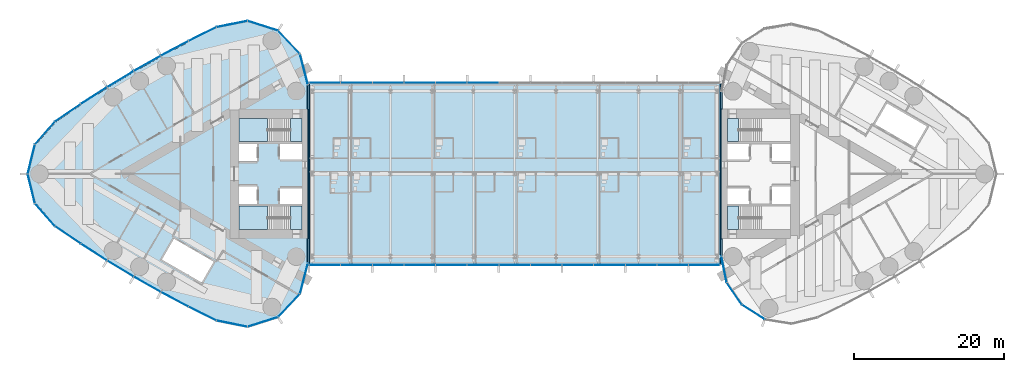
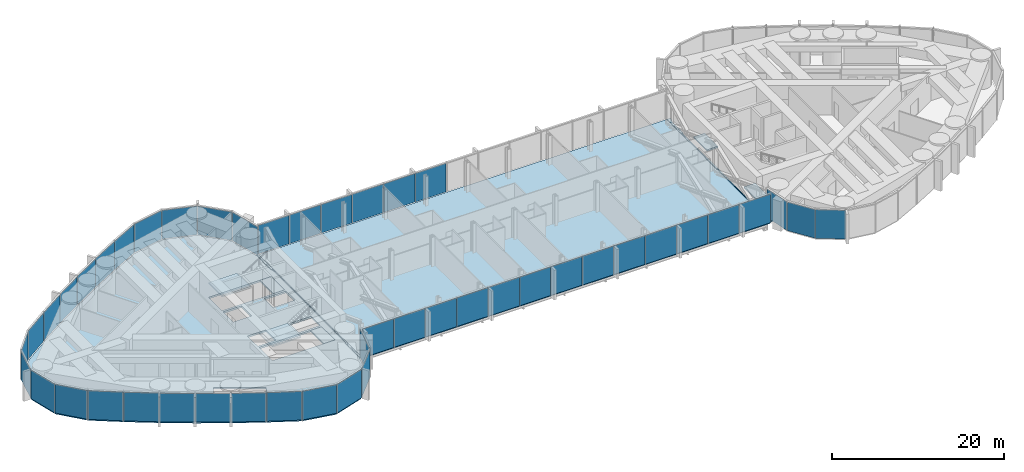
# One storey, part 13 of 23: 48 plates, 8 slabs, 8 elements without a shape of their own.
"""IFC4 building model written with IfcOpenShell, lengths in metres."""

from ifc_helpers import new_model, si_unit, direction, frame, origin, origin_2d, place, context, subcontext, project, spatial, polyline, rectangle, outline, extrude, material, layer, layer_set, type_object, element, aggregate, save


model = new_model("IFC4")

# Units and contexts
model_context = context("Model", 3, precision=1e-05, world=origin(), true_north=direction((0.0, 1.0)))
body_context = subcontext(model_context, "Body", "Model", "MODEL_VIEW")
ifc_project = project(units=[si_unit("LENGTHUNIT", "METRE"), si_unit("AREAUNIT", "SQUARE_METRE"), si_unit("VOLUMEUNIT", "CUBIC_METRE"), si_unit("PLANEANGLEUNIT", "RADIAN"), si_unit("MASSUNIT", "GRAM", prefix="KILO")], contexts=[model_context])

# Site, building, storey
site_placement = place(None, origin())
site = spatial("IfcSite", under=ifc_project, at=site_placement, CompositionType="ELEMENT")
building_placement = place(site_placement, origin())
building = spatial("IfcBuilding", under=site, at=building_placement, Name="Lancet Gate Hotel", CompositionType="ELEMENT")
storey_placement = place(building_placement, frame((0.0, 0.0, 247.699951171875)))
storey = spatial("IfcBuildingStorey", under=building, at=storey_placement, Name="L66", CompositionType="ELEMENT", Elevation=247.699951171875)

# Slabs
ifc_material_1 = material(Name="Concrete C40/50", Category="concrete")
ifc_layer_1 = layer(ifc_material_1, 0.199951171875)
ifc_layer_set_1 = layer_set([ifc_layer_1], Name="Composite floor slab 200")
slab_type_1 = type_object("IfcSlabType", Name="Composite floor slab 200", PredefinedType="FLOOR", material=ifc_layer_set_1)
slab_1_placement = place(storey_placement, frame((0.0, 0.0, -0.199951171875)))
element("IfcSlab", 1, at=slab_1_placement, inside=storey, type_object=slab_type_1, Name="Bridge block L66 floor slab", PredefinedType="FLOOR", context=body_context, shape_type="SweptSolid", body=[
    extrude(outline(polyline([(27.35009765625, -12.0), (27.35009765625, 12.0), (-27.35009765625, 12.0), (-27.35009765625, -12.0), (27.35009765625, -12.0)])), origin(), (0.0, 0.0, 1.0), 0.199951171875),
])
ifc_material_2 = material(Name="Concrete C50/60", Category="concrete")
ifc_layer_2 = layer(ifc_material_2, 0.25)
ifc_layer_set_2 = layer_set([ifc_layer_2], Name="Floor slab 250")
slab_type_2 = type_object("IfcSlabType", Name="Floor slab 250", PredefinedType="FLOOR", material=ifc_layer_set_2)
slab_2_placement = place(storey_placement, frame((0.0, 0.0, -0.25)))
element("IfcSlab", 2, at=slab_2_placement, inside=storey, type_object=slab_type_2, Name="T1 L66 floor slab", PredefinedType="FLOOR", context=body_context, shape_type="SweptSolid", body=[
    extrude(outline(polyline([(-27.5, 8.60009765625), (-27.6201171875, 8.60009765625), (-27.6201171875, 11.84619140625), (-28.668701171875, 15.912353515625), (-31.542236328125, 18.95263671875), (-35.52783203125, 20.22412109375), (-39.645751953125, 19.40673828125), (-43.344482421875, 17.565673828125), (-47.005126953125, 15.618896484375), (-50.61181640625, 13.574462890625), (-54.162353515625, 11.43359375), (-57.654052734375, 9.197998046875), (-61.072998046875, 6.876708984375), (-63.71240234375, 3.871337890625), (-64.66064453125, 0.0), (-63.71240234375, -3.871337890625), (-61.072998046875, -6.876708984375), (-57.654052734375, -9.197998046875), (-54.162353515625, -11.43359375), (-50.61181640625, -13.574462890625), (-47.005126953125, -15.618896484375), (-43.344482421875, -17.565673828125), (-39.645751953125, -19.40673828125), (-35.52783203125, -20.22412109375), (-31.542236328125, -18.95263671875), (-28.668701171875, -15.912353515625), (-27.6201171875, -11.84619140625), (-27.6201171875, -8.60009765625), (-27.5, -8.60009765625), (-27.5, -8.199951171875), (-27.5, 8.199951171875), (-27.5, 8.60009765625)]), holes=[polyline([(-36.699951171875, 7.39990234375), (-36.699951171875, 4.300048828125), (-28.300048828125, 4.300048828125), (-28.300048828125, 7.39990234375), (-36.699951171875, 7.39990234375)]), polyline([(-28.300048828125, 4.0), (-31.199951171875, 4.0), (-31.199951171875, 1.89990234375), (-28.300048828125, 1.89990234375), (-28.300048828125, 4.0)]), polyline([(-34.25, 4.0), (-36.699951171875, 4.0), (-36.699951171875, 1.64990234375), (-34.25, 1.64990234375), (-34.25, 4.0)]), polyline([(-36.699951171875, -1.64990234375), (-36.699951171875, -4.0), (-34.25, -4.0), (-34.25, -1.64990234375), (-36.699951171875, -1.64990234375)]), polyline([(-28.300048828125, -1.89990234375), (-31.199951171875, -1.89990234375), (-31.199951171875, -4.0), (-28.300048828125, -4.0), (-28.300048828125, -1.89990234375)]), polyline([(-28.300048828125, -4.300048828125), (-36.699951171875, -4.300048828125), (-36.699951171875, -7.39990234375), (-28.300048828125, -7.39990234375), (-28.300048828125, -4.300048828125)]), polyline([(-45.319091796875, -8.631103515625), (-46.9189453125, -11.402099609375), (-41.635986328125, -14.451904296875), (-40.035888671875, -11.680908203125), (-45.319091796875, -8.631103515625)])]), origin(), (0.0, 0.0, 1.0), 0.25),
])

# Plates
ifc_material_3 = material(Name="Aluminium chequer plate", Category="aluminium")
ifc_layer_3 = layer(ifc_material_3, 0.014892578125)
ifc_layer_set_3 = layer_set([ifc_layer_3], Name="Movement joint cover plate 15")
plate_type_1 = type_object("IfcPlateType", Name="Movement joint cover plate 15", PredefinedType="SHEET", material=ifc_layer_set_3)
plate_1_placement = place(storey_placement, frame((0.0, 0.0, -0.014892578125)))
element("IfcPlate", 3, at=plate_1_placement, inside=storey, type_object=plate_type_1, Name="Movement joint cover plate T1 L66", PredefinedType="SHEET", context=body_context, shape_type="SweptSolid", body=[
    extrude(outline(polyline([(-27.35009765625, 12.0), (-27.65966796875, 12.0), (-27.6201171875, 11.84619140625), (-27.6201171875, 8.60009765625), (-27.5, 8.60009765625), (-27.5, 8.199951171875), (-27.5, -8.199951171875), (-27.5, -8.60009765625), (-27.6201171875, -8.60009765625), (-27.6201171875, -11.84619140625), (-27.65966796875, -12.0), (-27.35009765625, -12.0), (-27.35009765625, 12.0)])), origin(), (0.0, 0.0, 1.0), 0.014892578125),
])
plate_2_placement = place(storey_placement, frame((0.0, 0.0, -0.014892578125)))
element("IfcPlate", 4, at=plate_2_placement, inside=storey, type_object=plate_type_1, Name="Movement joint cover plate T2 L66", PredefinedType="SHEET", context=body_context, shape_type="SweptSolid", body=[
    extrude(outline(polyline([(27.35009765625, -12.0), (27.836669921875, -12.0), (27.6201171875, -10.93603515625), (27.6201171875, -8.60009765625), (27.5, -8.60009765625), (27.5, -8.199951171875), (27.5, 8.199951171875), (27.5, 8.60009765625), (27.6201171875, 8.60009765625), (27.6201171875, 10.93603515625), (27.836669921875, 12.0), (27.35009765625, 12.0), (27.35009765625, -12.0)])), origin(), (0.0, 0.0, 1.0), 0.014892578125),
])

# Curtain wall, plates
ifc_material_4 = material(Name="Aluminium curtain wall", Category="aluminium")
curtain_wall_type = type_object("IfcCurtainWallType", Name="Sky deck full-height glazing", PredefinedType="USERDEFINED", material=ifc_material_4)
curtain_wall_1_placement = place(storey_placement, origin())
curtain_wall_1 = element("IfcCurtainWall", 5, at=curtain_wall_1_placement, inside=storey, type_object=curtain_wall_type, Name="T1 L66 curtain wall 1", ObjectType="UNITISED CURTAIN WALL", PredefinedType="USERDEFINED")
ifc_material_5 = material(Name="Laminated double glazed unit 10-20-14")
ifc_layer_4 = layer(ifc_material_5, 0.0439453125)
ifc_layer_set_4 = layer_set([ifc_layer_4], Name="Sky deck glass panel")
plate_type_2 = type_object("IfcPlateType", Name="Sky deck glass panel", PredefinedType="CURTAIN_PANEL", material=ifc_layer_set_4)
plate_3_placement = place(storey_placement, frame((-28.030029296875, 13.9169921875, 0.0), z_axis=(0.0, 0.0, 1.0), x_axis=(-0.249725827997, 0.968316586056, 0.0)))
plate_3 = element("IfcPlate", 6, at=plate_3_placement, type_object=plate_type_2, Name="T1 L66 curtain wall 1 panel 1", PredefinedType="CURTAIN_PANEL", context=body_context, shape_type="SweptSolid", body=[
    extrude(rectangle(XDim=4.180419921875, YDim=0.0439453125, at=origin_2d()), origin(), (0.0, 0.0, 1.0), 4.050048828125),
])
plate_4_placement = place(storey_placement, frame((-30.018310546875, 17.514892578125, 0.0), z_axis=(0.0, 0.0, 1.0), x_axis=(-0.686882887577, 0.726768118972, 0.0)))
plate_4 = element("IfcPlate", 7, at=plate_4_placement, type_object=plate_type_2, Name="T1 L66 curtain wall 1 panel 2", PredefinedType="CURTAIN_PANEL", context=body_context, shape_type="SweptSolid", body=[
    extrude(rectangle(XDim=4.180419921875, YDim=0.0439453125, at=origin_2d()), origin(), (0.0, 0.0, 1.0), 4.050048828125),
])
plate_5_placement = place(storey_placement, frame((-33.49853515625, 19.702880859375, 0.0), z_axis=(0.0, 0.0, 1.0), x_axis=(-0.952695666833, 0.303925922549, 0.0)))
plate_5 = element("IfcPlate", 8, at=plate_5_placement, type_object=plate_type_2, Name="T1 L66 curtain wall 1 panel 3", PredefinedType="CURTAIN_PANEL", context=body_context, shape_type="SweptSolid", body=[
    extrude(rectangle(XDim=4.180419921875, YDim=0.0439453125, at=origin_2d()), origin(), (0.0, 0.0, 1.0), 4.050048828125),
])
plate_6_placement = place(storey_placement, frame((-37.602783203125, 19.9345703125, 0.0), z_axis=(0.0, 0.0, 1.0), x_axis=(-0.980856647866, -0.194731189942, 0.0)))
plate_6 = element("IfcPlate", 9, at=plate_6_placement, type_object=plate_type_2, Name="T1 L66 curtain wall 1 panel 4", PredefinedType="CURTAIN_PANEL", context=body_context, shape_type="SweptSolid", body=[
    extrude(rectangle(XDim=4.180419921875, YDim=0.0439453125, at=origin_2d()), origin(), (0.0, 0.0, 1.0), 4.050048828125),
])
plate_7_placement = place(storey_placement, frame((-41.5419921875, 18.5966796875, 0.0), z_axis=(0.0, 0.0, 1.0), x_axis=(-0.895234030262, -0.445596264639, 0.0)))
plate_7 = element("IfcPlate", 10, at=plate_7_placement, type_object=plate_type_2, Name="T1 L66 curtain wall 1 panel 5", PredefinedType="CURTAIN_PANEL", context=body_context, shape_type="SweptSolid", body=[
    extrude(rectangle(XDim=4.084228515625, YDim=0.0439453125, at=origin_2d()), origin(), (0.0, 0.0, 1.0), 4.050048828125),
])
plate_8_placement = place(storey_placement, frame((-45.23095703125, 16.6982421875, 0.0), z_axis=(0.0, 0.0, 1.0), x_axis=(-0.882915941615, -0.469531085277, 0.0)))
plate_8 = element("IfcPlate", 11, at=plate_8_placement, type_object=plate_type_2, Name="T1 L66 curtain wall 1 panel 6", PredefinedType="CURTAIN_PANEL", context=body_context, shape_type="SweptSolid", body=[
    extrude(rectangle(XDim=4.084228515625, YDim=0.0439453125, at=origin_2d()), origin(), (0.0, 0.0, 1.0), 4.050048828125),
])
plate_9_placement = place(storey_placement, frame((-48.86767578125, 14.701171875, 0.0), z_axis=(0.0, 0.0, 1.0), x_axis=(-0.869958082404, -0.493125678565, 0.0)))
plate_9 = element("IfcPlate", 12, at=plate_9_placement, type_object=plate_type_2, Name="T1 L66 curtain wall 1 panel 7", PredefinedType="CURTAIN_PANEL", context=body_context, shape_type="SweptSolid", body=[
    extrude(rectangle(XDim=4.084228515625, YDim=0.0439453125, at=origin_2d()), origin(), (0.0, 0.0, 1.0), 4.050048828125),
])
plate_10_placement = place(storey_placement, frame((-52.44921875, 12.606689453125, 0.0), z_axis=(0.0, 0.0, 1.0), x_axis=(-0.85636984205, -0.516362947574, 0.0)))
plate_10 = element("IfcPlate", 13, at=plate_10_placement, type_object=plate_type_2, Name="T1 L66 curtain wall 1 panel 8", PredefinedType="CURTAIN_PANEL", context=body_context, shape_type="SweptSolid", body=[
    extrude(rectangle(XDim=4.084228515625, YDim=0.0439453125, at=origin_2d()), origin(), (0.0, 0.0, 1.0), 4.050048828125),
])
plate_11_placement = place(storey_placement, frame((-55.972900390625, 10.416748046875, 0.0), z_axis=(0.0, 0.0, 1.0), x_axis=(-0.842161066725, -0.539226054352, 0.0)))
plate_11 = element("IfcPlate", 14, at=plate_11_placement, type_object=plate_type_2, Name="T1 L66 curtain wall 1 panel 9", PredefinedType="CURTAIN_PANEL", context=body_context, shape_type="SweptSolid", body=[
    extrude(rectangle(XDim=4.084228515625, YDim=0.0439453125, at=origin_2d()), origin(), (0.0, 0.0, 1.0), 4.050048828125),
])
plate_12_placement = place(storey_placement, frame((-59.4365234375, 8.1328125, 0.0), z_axis=(0.0, 0.0, 1.0), x_axis=(-0.827342052281, -0.561698432014, 0.0)))
plate_12 = element("IfcPlate", 15, at=plate_12_placement, type_object=plate_type_2, Name="T1 L66 curtain wall 1 panel 10", PredefinedType="CURTAIN_PANEL", context=body_context, shape_type="SweptSolid", body=[
    extrude(rectangle(XDim=4.084228515625, YDim=0.0439453125, at=origin_2d()), origin(), (0.0, 0.0, 1.0), 4.050048828125),
])
plate_13_placement = place(storey_placement, frame((-62.487548828125, 5.447998046875, 0.0), z_axis=(0.0, 0.0, 1.0), x_axis=(-0.659891635916, -0.751360784742, 0.0)))
plate_13 = element("IfcPlate", 16, at=plate_13_placement, type_object=plate_type_2, Name="T1 L66 curtain wall 1 panel 11", PredefinedType="CURTAIN_PANEL", context=body_context, shape_type="SweptSolid", body=[
    extrude(rectangle(XDim=3.979736328125, YDim=0.0439453125, at=origin_2d()), origin(), (0.0, 0.0, 1.0), 4.050048828125),
])
plate_14_placement = place(storey_placement, frame((-64.30322265625, 1.96435546875, 0.0), z_axis=(0.0, 0.0, 1.0), x_axis=(-0.237921018621, -0.971284504612, 0.0)))
plate_14 = element("IfcPlate", 17, at=plate_14_placement, type_object=plate_type_2, Name="T1 L66 curtain wall 1 panel 12", PredefinedType="CURTAIN_PANEL", context=body_context, shape_type="SweptSolid", body=[
    extrude(rectangle(XDim=3.979736328125, YDim=0.0439453125, at=origin_2d()), origin(), (0.0, 0.0, 1.0), 4.050048828125),
])
plate_15_placement = place(storey_placement, frame((-64.30322265625, -1.96435546875, 0.0), z_axis=(0.0, 0.0, 1.0), x_axis=(0.237921018621, -0.971284504612, 0.0)))
plate_15 = element("IfcPlate", 18, at=plate_15_placement, type_object=plate_type_2, Name="T1 L66 curtain wall 1 panel 13", PredefinedType="CURTAIN_PANEL", context=body_context, shape_type="SweptSolid", body=[
    extrude(rectangle(XDim=3.979736328125, YDim=0.0439453125, at=origin_2d()), origin(), (0.0, 0.0, 1.0), 4.050048828125),
])
plate_16_placement = place(storey_placement, frame((-62.487548828125, -5.447998046875, 0.0), z_axis=(0.0, 0.0, 1.0), x_axis=(0.659891635916, -0.751360784742, 0.0)))
plate_16 = element("IfcPlate", 19, at=plate_16_placement, type_object=plate_type_2, Name="T1 L66 curtain wall 1 panel 14", PredefinedType="CURTAIN_PANEL", context=body_context, shape_type="SweptSolid", body=[
    extrude(rectangle(XDim=3.979736328125, YDim=0.0439453125, at=origin_2d()), origin(), (0.0, 0.0, 1.0), 4.050048828125),
])
plate_17_placement = place(storey_placement, frame((-59.4365234375, -8.1328125, 0.0), z_axis=(0.0, 0.0, 1.0), x_axis=(0.827342052281, -0.561698432014, 0.0)))
plate_17 = element("IfcPlate", 20, at=plate_17_placement, type_object=plate_type_2, Name="T1 L66 curtain wall 1 panel 15", PredefinedType="CURTAIN_PANEL", context=body_context, shape_type="SweptSolid", body=[
    extrude(rectangle(XDim=4.084228515625, YDim=0.0439453125, at=origin_2d()), origin(), (0.0, 0.0, 1.0), 4.050048828125),
])
plate_18_placement = place(storey_placement, frame((-55.972900390625, -10.416748046875, 0.0), z_axis=(0.0, 0.0, 1.0), x_axis=(0.842161066725, -0.539226054352, 0.0)))
plate_18 = element("IfcPlate", 21, at=plate_18_placement, type_object=plate_type_2, Name="T1 L66 curtain wall 1 panel 16", PredefinedType="CURTAIN_PANEL", context=body_context, shape_type="SweptSolid", body=[
    extrude(rectangle(XDim=4.084228515625, YDim=0.0439453125, at=origin_2d()), origin(), (0.0, 0.0, 1.0), 4.050048828125),
])
plate_19_placement = place(storey_placement, frame((-52.44921875, -12.606689453125, 0.0), z_axis=(0.0, 0.0, 1.0), x_axis=(0.85636984205, -0.516362947574, 0.0)))
plate_19 = element("IfcPlate", 22, at=plate_19_placement, type_object=plate_type_2, Name="T1 L66 curtain wall 1 panel 17", PredefinedType="CURTAIN_PANEL", context=body_context, shape_type="SweptSolid", body=[
    extrude(rectangle(XDim=4.084228515625, YDim=0.0439453125, at=origin_2d()), origin(), (0.0, 0.0, 1.0), 4.050048828125),
])
plate_20_placement = place(storey_placement, frame((-48.86767578125, -14.701171875, 0.0), z_axis=(0.0, 0.0, 1.0), x_axis=(0.869958082404, -0.493125678565, 0.0)))
plate_20 = element("IfcPlate", 23, at=plate_20_placement, type_object=plate_type_2, Name="T1 L66 curtain wall 1 panel 18", PredefinedType="CURTAIN_PANEL", context=body_context, shape_type="SweptSolid", body=[
    extrude(rectangle(XDim=4.084228515625, YDim=0.0439453125, at=origin_2d()), origin(), (0.0, 0.0, 1.0), 4.050048828125),
])
plate_21_placement = place(storey_placement, frame((-45.23095703125, -16.6982421875, 0.0), z_axis=(0.0, 0.0, 1.0), x_axis=(0.882915941615, -0.469531085277, 0.0)))
plate_21 = element("IfcPlate", 24, at=plate_21_placement, type_object=plate_type_2, Name="T1 L66 curtain wall 1 panel 19", PredefinedType="CURTAIN_PANEL", context=body_context, shape_type="SweptSolid", body=[
    extrude(rectangle(XDim=4.084228515625, YDim=0.0439453125, at=origin_2d()), origin(), (0.0, 0.0, 1.0), 4.050048828125),
])
plate_22_placement = place(storey_placement, frame((-41.5419921875, -18.5966796875, 0.0), z_axis=(0.0, 0.0, 1.0), x_axis=(0.895234030262, -0.445596264639, 0.0)))
plate_22 = element("IfcPlate", 25, at=plate_22_placement, type_object=plate_type_2, Name="T1 L66 curtain wall 1 panel 20", PredefinedType="CURTAIN_PANEL", context=body_context, shape_type="SweptSolid", body=[
    extrude(rectangle(XDim=4.084228515625, YDim=0.0439453125, at=origin_2d()), origin(), (0.0, 0.0, 1.0), 4.050048828125),
])
plate_23_placement = place(storey_placement, frame((-37.602783203125, -19.9345703125, 0.0), z_axis=(0.0, 0.0, 1.0), x_axis=(0.980856647866, -0.194731189942, 0.0)))
plate_23 = element("IfcPlate", 26, at=plate_23_placement, type_object=plate_type_2, Name="T1 L66 curtain wall 1 panel 21", PredefinedType="CURTAIN_PANEL", context=body_context, shape_type="SweptSolid", body=[
    extrude(rectangle(XDim=4.180419921875, YDim=0.0439453125, at=origin_2d()), origin(), (0.0, 0.0, 1.0), 4.050048828125),
])
plate_24_placement = place(storey_placement, frame((-33.49853515625, -19.702880859375, 0.0), z_axis=(0.0, 0.0, 1.0), x_axis=(0.952695666833, 0.303925922549, 0.0)))
plate_24 = element("IfcPlate", 27, at=plate_24_placement, type_object=plate_type_2, Name="T1 L66 curtain wall 1 panel 22", PredefinedType="CURTAIN_PANEL", context=body_context, shape_type="SweptSolid", body=[
    extrude(rectangle(XDim=4.180419921875, YDim=0.0439453125, at=origin_2d()), origin(), (0.0, 0.0, 1.0), 4.050048828125),
])
plate_25_placement = place(storey_placement, frame((-30.018310546875, -17.514892578125, 0.0), z_axis=(0.0, 0.0, 1.0), x_axis=(0.686882887577, 0.726768118972, 0.0)))
plate_25 = element("IfcPlate", 28, at=plate_25_placement, type_object=plate_type_2, Name="T1 L66 curtain wall 1 panel 23", PredefinedType="CURTAIN_PANEL", context=body_context, shape_type="SweptSolid", body=[
    extrude(rectangle(XDim=4.180419921875, YDim=0.0439453125, at=origin_2d()), origin(), (0.0, 0.0, 1.0), 4.050048828125),
])
plate_26_placement = place(storey_placement, frame((-28.030029296875, -13.9169921875, 0.0), z_axis=(0.0, 0.0, 1.0), x_axis=(0.249725827997, 0.968316586056, 0.0)))
plate_26 = element("IfcPlate", 29, at=plate_26_placement, type_object=plate_type_2, Name="T1 L66 curtain wall 1 panel 24", PredefinedType="CURTAIN_PANEL", context=body_context, shape_type="SweptSolid", body=[
    extrude(rectangle(XDim=4.180419921875, YDim=0.0439453125, at=origin_2d()), origin(), (0.0, 0.0, 1.0), 4.050048828125),
])
aggregate(curtain_wall_1, [plate_3, plate_4, plate_5, plate_6, plate_7, plate_8, plate_9, plate_10, plate_11, plate_12, plate_13, plate_14, plate_15, plate_16, plate_17, plate_18, plate_19, plate_20, plate_21, plate_22, plate_23, plate_24, plate_25, plate_26])

curtain_wall_2_placement = place(storey_placement, origin())
curtain_wall_2 = element("IfcCurtainWall", 30, at=curtain_wall_2_placement, inside=storey, type_object=curtain_wall_type, Name="T2 L66 curtain wall 1", ObjectType="UNITISED CURTAIN WALL", PredefinedType="USERDEFINED")
plate_27_placement = place(storey_placement, frame((27.8583984375, -12.707763671875, 0.0), z_axis=(0.0, 0.0, 1.0), x_axis=(0.199533486841, -0.979891008036, 0.0)))
plate_27 = element("IfcPlate", 31, at=plate_27_placement, type_object=plate_type_2, Name="T2 L66 curtain wall 1 panel 1", PredefinedType="CURTAIN_PANEL", context=body_context, shape_type="SweptSolid", body=[
    extrude(rectangle(XDim=3.526611328125, YDim=0.0439453125, at=origin_2d()), origin(), (0.0, 0.0, 1.0), 4.050048828125),
])
plate_28_placement = place(storey_placement, frame((29.234619140625, -15.947021484375, 0.0), z_axis=(0.0, 0.0, 1.0), x_axis=(0.566823864908, -0.823839005007, 0.0)))
plate_28 = element("IfcPlate", 32, at=plate_28_placement, type_object=plate_type_2, Name="T2 L66 curtain wall 1 panel 2", PredefinedType="CURTAIN_PANEL", context=body_context, shape_type="SweptSolid", body=[
    extrude(rectangle(XDim=3.526611328125, YDim=0.0439453125, at=origin_2d()), origin(), (0.0, 0.0, 1.0), 4.050048828125),
])
plate_29_placement = place(storey_placement, frame((31.767822265625, -18.389892578125, 0.0), z_axis=(0.0, 0.0, 1.0), x_axis=(0.843845020422, -0.536586974785, 0.0)))
plate_29 = element("IfcPlate", 33, at=plate_29_placement, type_object=plate_type_2, Name="T2 L66 curtain wall 1 panel 3", PredefinedType="CURTAIN_PANEL", context=body_context, shape_type="SweptSolid", body=[
    extrude(rectangle(XDim=3.526611328125, YDim=0.0439453125, at=origin_2d()), origin(), (0.0, 0.0, 1.0), 4.050048828125),
])
aggregate(curtain_wall_2, [plate_27, plate_28, plate_29])

curtain_wall_3_placement = place(storey_placement, origin())
curtain_wall_3 = element("IfcCurtainWall", 34, at=curtain_wall_3_placement, inside=storey, type_object=curtain_wall_type, Name="Bridge block L66 curtain wall S", ObjectType="UNITISED CURTAIN WALL", PredefinedType="USERDEFINED")
plate_30_placement = place(storey_placement, frame((-25.24609375, -12.1201171875, 0.0), z_axis=(0.0, 0.0, 1.0), x_axis=(1.0, 0.0, 0.0)))
plate_30 = element("IfcPlate", 35, at=plate_30_placement, type_object=plate_type_2, Name="Bridge block L66 curtain wall S panel 1", PredefinedType="CURTAIN_PANEL", context=body_context, shape_type="SweptSolid", body=[
    extrude(rectangle(XDim=4.142578125, YDim=0.0439453125, at=origin_2d()), origin(), (0.0, 0.0, 1.0), 4.050048828125),
])
plate_31_placement = place(storey_placement, frame((-21.03857421875, -12.1201171875, 0.0), z_axis=(0.0, 0.0, 1.0), x_axis=(1.0, 0.0, 0.0)))
plate_31 = element("IfcPlate", 36, at=plate_31_placement, type_object=plate_type_2, Name="Bridge block L66 curtain wall S panel 2", PredefinedType="CURTAIN_PANEL", context=body_context, shape_type="SweptSolid", body=[
    extrude(rectangle(XDim=4.142578125, YDim=0.0439453125, at=origin_2d()), origin(), (0.0, 0.0, 1.0), 4.050048828125),
])
plate_32_placement = place(storey_placement, frame((-16.830810546875, -12.1201171875, 0.0), z_axis=(0.0, 0.0, 1.0), x_axis=(1.0, 0.0, 0.0)))
plate_32 = element("IfcPlate", 37, at=plate_32_placement, type_object=plate_type_2, Name="Bridge block L66 curtain wall S panel 3", PredefinedType="CURTAIN_PANEL", context=body_context, shape_type="SweptSolid", body=[
    extrude(rectangle(XDim=4.142578125, YDim=0.0439453125, at=origin_2d()), origin(), (0.0, 0.0, 1.0), 4.050048828125),
])
plate_33_placement = place(storey_placement, frame((-12.623046875, -12.1201171875, 0.0), z_axis=(0.0, 0.0, 1.0), x_axis=(1.0, 0.0, 0.0)))
plate_33 = element("IfcPlate", 38, at=plate_33_placement, type_object=plate_type_2, Name="Bridge block L66 curtain wall S panel 4", PredefinedType="CURTAIN_PANEL", context=body_context, shape_type="SweptSolid", body=[
    extrude(rectangle(XDim=4.142578125, YDim=0.0439453125, at=origin_2d()), origin(), (0.0, 0.0, 1.0), 4.050048828125),
])
plate_34_placement = place(storey_placement, frame((-8.415283203125, -12.1201171875, 0.0), z_axis=(0.0, 0.0, 1.0), x_axis=(1.0, 0.0, 0.0)))
plate_34 = element("IfcPlate", 39, at=plate_34_placement, type_object=plate_type_2, Name="Bridge block L66 curtain wall S panel 5", PredefinedType="CURTAIN_PANEL", context=body_context, shape_type="SweptSolid", body=[
    extrude(rectangle(XDim=4.142578125, YDim=0.0439453125, at=origin_2d()), origin(), (0.0, 0.0, 1.0), 4.050048828125),
])
plate_35_placement = place(storey_placement, frame((-4.207763671875, -12.1201171875, 0.0), z_axis=(0.0, 0.0, 1.0), x_axis=(1.0, 0.0, 0.0)))
plate_35 = element("IfcPlate", 40, at=plate_35_placement, type_object=plate_type_2, Name="Bridge block L66 curtain wall S panel 6", PredefinedType="CURTAIN_PANEL", context=body_context, shape_type="SweptSolid", body=[
    extrude(rectangle(XDim=4.142578125, YDim=0.0439453125, at=origin_2d()), origin(), (0.0, 0.0, 1.0), 4.050048828125),
])
plate_36_placement = place(storey_placement, frame((0.0, -12.1201171875, 0.0), z_axis=(0.0, 0.0, 1.0), x_axis=(1.0, 0.0, 0.0)))
plate_36 = element("IfcPlate", 41, at=plate_36_placement, type_object=plate_type_2, Name="Bridge block L66 curtain wall S panel 7", PredefinedType="CURTAIN_PANEL", context=body_context, shape_type="SweptSolid", body=[
    extrude(rectangle(XDim=4.142578125, YDim=0.0439453125, at=origin_2d()), origin(), (0.0, 0.0, 1.0), 4.050048828125),
])
plate_37_placement = place(storey_placement, frame((4.207763671875, -12.1201171875, 0.0), z_axis=(0.0, 0.0, 1.0), x_axis=(1.0, 0.0, 0.0)))
plate_37 = element("IfcPlate", 42, at=plate_37_placement, type_object=plate_type_2, Name="Bridge block L66 curtain wall S panel 8", PredefinedType="CURTAIN_PANEL", context=body_context, shape_type="SweptSolid", body=[
    extrude(rectangle(XDim=4.142578125, YDim=0.0439453125, at=origin_2d()), origin(), (0.0, 0.0, 1.0), 4.050048828125),
])
plate_38_placement = place(storey_placement, frame((8.415283203125, -12.1201171875, 0.0), z_axis=(0.0, 0.0, 1.0), x_axis=(1.0, 0.0, 0.0)))
plate_38 = element("IfcPlate", 43, at=plate_38_placement, type_object=plate_type_2, Name="Bridge block L66 curtain wall S panel 9", PredefinedType="CURTAIN_PANEL", context=body_context, shape_type="SweptSolid", body=[
    extrude(rectangle(XDim=4.142578125, YDim=0.0439453125, at=origin_2d()), origin(), (0.0, 0.0, 1.0), 4.050048828125),
])
plate_39_placement = place(storey_placement, frame((12.623046875, -12.1201171875, 0.0), z_axis=(0.0, 0.0, 1.0), x_axis=(1.0, 0.0, 0.0)))
plate_39 = element("IfcPlate", 44, at=plate_39_placement, type_object=plate_type_2, Name="Bridge block L66 curtain wall S panel 10", PredefinedType="CURTAIN_PANEL", context=body_context, shape_type="SweptSolid", body=[
    extrude(rectangle(XDim=4.142578125, YDim=0.0439453125, at=origin_2d()), origin(), (0.0, 0.0, 1.0), 4.050048828125),
])
plate_40_placement = place(storey_placement, frame((16.830810546875, -12.1201171875, 0.0), z_axis=(0.0, 0.0, 1.0), x_axis=(1.0, 0.0, 0.0)))
plate_40 = element("IfcPlate", 45, at=plate_40_placement, type_object=plate_type_2, Name="Bridge block L66 curtain wall S panel 11", PredefinedType="CURTAIN_PANEL", context=body_context, shape_type="SweptSolid", body=[
    extrude(rectangle(XDim=4.142578125, YDim=0.0439453125, at=origin_2d()), origin(), (0.0, 0.0, 1.0), 4.050048828125),
])
plate_41_placement = place(storey_placement, frame((21.03857421875, -12.1201171875, 0.0), z_axis=(0.0, 0.0, 1.0), x_axis=(1.0, 0.0, 0.0)))
plate_41 = element("IfcPlate", 46, at=plate_41_placement, type_object=plate_type_2, Name="Bridge block L66 curtain wall S panel 12", PredefinedType="CURTAIN_PANEL", context=body_context, shape_type="SweptSolid", body=[
    extrude(rectangle(XDim=4.142578125, YDim=0.0439453125, at=origin_2d()), origin(), (0.0, 0.0, 1.0), 4.050048828125),
])
plate_42_placement = place(storey_placement, frame((25.24609375, -12.1201171875, 0.0), z_axis=(0.0, 0.0, 1.0), x_axis=(1.0, 0.0, 0.0)))
plate_42 = element("IfcPlate", 47, at=plate_42_placement, type_object=plate_type_2, Name="Bridge block L66 curtain wall S panel 13", PredefinedType="CURTAIN_PANEL", context=body_context, shape_type="SweptSolid", body=[
    extrude(rectangle(XDim=4.142578125, YDim=0.0439453125, at=origin_2d()), origin(), (0.0, 0.0, 1.0), 4.050048828125),
])
aggregate(curtain_wall_3, [plate_30, plate_31, plate_32, plate_33, plate_34, plate_35, plate_36, plate_37, plate_38, plate_39, plate_40, plate_41, plate_42])

curtain_wall_4_placement = place(storey_placement, origin())
curtain_wall_4 = element("IfcCurtainWall", 48, at=curtain_wall_4_placement, inside=storey, type_object=curtain_wall_type, Name="Bridge block L66 curtain wall N", ObjectType="UNITISED CURTAIN WALL", PredefinedType="USERDEFINED")
plate_43_placement = place(storey_placement, frame((-4.207763671875, 12.1201171875, 0.0), z_axis=(0.0, 0.0, 1.0), x_axis=(-1.0, 0.0, 0.0)))
plate_43 = element("IfcPlate", 49, at=plate_43_placement, type_object=plate_type_2, Name="Bridge block L66 curtain wall N panel 8", PredefinedType="CURTAIN_PANEL", context=body_context, shape_type="SweptSolid", body=[
    extrude(rectangle(XDim=4.142578125, YDim=0.0439453125, at=origin_2d()), origin(), (0.0, 0.0, 1.0), 4.050048828125),
])
plate_44_placement = place(storey_placement, frame((-8.415283203125, 12.1201171875, 0.0), z_axis=(0.0, 0.0, 1.0), x_axis=(-1.0, 0.0, 0.0)))
plate_44 = element("IfcPlate", 50, at=plate_44_placement, type_object=plate_type_2, Name="Bridge block L66 curtain wall N panel 9", PredefinedType="CURTAIN_PANEL", context=body_context, shape_type="SweptSolid", body=[
    extrude(rectangle(XDim=4.142578125, YDim=0.0439453125, at=origin_2d()), origin(), (0.0, 0.0, 1.0), 4.050048828125),
])
plate_45_placement = place(storey_placement, frame((-12.623046875, 12.1201171875, 0.0), z_axis=(0.0, 0.0, 1.0), x_axis=(-1.0, 0.0, 0.0)))
plate_45 = element("IfcPlate", 51, at=plate_45_placement, type_object=plate_type_2, Name="Bridge block L66 curtain wall N panel 10", PredefinedType="CURTAIN_PANEL", context=body_context, shape_type="SweptSolid", body=[
    extrude(rectangle(XDim=4.142578125, YDim=0.0439453125, at=origin_2d()), origin(), (0.0, 0.0, 1.0), 4.050048828125),
])
plate_46_placement = place(storey_placement, frame((-16.830810546875, 12.1201171875, 0.0), z_axis=(0.0, 0.0, 1.0), x_axis=(-1.0, 0.0, 0.0)))
plate_46 = element("IfcPlate", 52, at=plate_46_placement, type_object=plate_type_2, Name="Bridge block L66 curtain wall N panel 11", PredefinedType="CURTAIN_PANEL", context=body_context, shape_type="SweptSolid", body=[
    extrude(rectangle(XDim=4.142578125, YDim=0.0439453125, at=origin_2d()), origin(), (0.0, 0.0, 1.0), 4.050048828125),
])
plate_47_placement = place(storey_placement, frame((-21.03857421875, 12.1201171875, 0.0), z_axis=(0.0, 0.0, 1.0), x_axis=(-1.0, 0.0, 0.0)))
plate_47 = element("IfcPlate", 53, at=plate_47_placement, type_object=plate_type_2, Name="Bridge block L66 curtain wall N panel 12", PredefinedType="CURTAIN_PANEL", context=body_context, shape_type="SweptSolid", body=[
    extrude(rectangle(XDim=4.142578125, YDim=0.0439453125, at=origin_2d()), origin(), (0.0, 0.0, 1.0), 4.050048828125),
])
plate_48_placement = place(storey_placement, frame((-25.24609375, 12.1201171875, 0.0), z_axis=(0.0, 0.0, 1.0), x_axis=(-1.0, 0.0, 0.0)))
plate_48 = element("IfcPlate", 54, at=plate_48_placement, type_object=plate_type_2, Name="Bridge block L66 curtain wall N panel 13", PredefinedType="CURTAIN_PANEL", context=body_context, shape_type="SweptSolid", body=[
    extrude(rectangle(XDim=4.142578125, YDim=0.0439453125, at=origin_2d()), origin(), (0.0, 0.0, 1.0), 4.050048828125),
])
aggregate(curtain_wall_4, [plate_43, plate_44, plate_45, plate_46, plate_47, plate_48])

# Stair, slabs
ifc_material_6 = material(Name="Exit stair 24 risers 1500")
stair_type = type_object("IfcStairType", Name="Exit stair 24 risers 1500", PredefinedType="HALF_TURN_STAIR", material=ifc_material_6)
stair_1_placement = place(storey_placement, origin())
stair_1 = element("IfcStair", 55, at=stair_1_placement, inside=storey, type_object=stair_type, Name="T1 stair 1 L66", PredefinedType="HALF_TURN_STAIR")
ifc_material_7 = material(Name="Concrete C40/50", Category="concrete")
ifc_layer_5 = layer(ifc_material_7, 0.199951171875)
ifc_layer_set_5 = layer_set([ifc_layer_5], Name="Stair landing 200")
slab_type_3 = type_object("IfcSlabType", Name="Stair landing 200", PredefinedType="LANDING", material=ifc_layer_set_5)
slab_3_placement = place(storey_placement, frame((0.0, 0.0, -0.199951171875)))
slab_3 = element("IfcSlab", 56, at=slab_3_placement, type_object=slab_type_3, Name="ST1 landing 1", PredefinedType="LANDING", context=body_context, shape_type="SweptSolid", body=[
    extrude(outline(polyline([(-28.300048828125, 7.39990234375), (-29.800048828125, 7.39990234375), (-29.800048828125, 4.300048828125), (-28.300048828125, 4.300048828125), (-28.300048828125, 7.39990234375)])), origin(), (0.0, 0.0, 1.0), 0.199951171875),
])
slab_4_placement = place(storey_placement, frame((0.0, 0.0, 1.900146484375)))
slab_4 = element("IfcSlab", 57, at=slab_4_placement, type_object=slab_type_3, Name="ST1 landing 2", PredefinedType="LANDING", context=body_context, shape_type="SweptSolid", body=[
    extrude(outline(polyline([(-32.8798828125, 7.39990234375), (-36.699951171875, 7.39990234375), (-36.699951171875, 4.300048828125), (-32.8798828125, 4.300048828125), (-32.8798828125, 7.39990234375)])), origin(), (0.0, 0.0, 1.0), 0.199951171875),
])
aggregate(stair_1, [slab_3, slab_4])

stair_2_placement = place(storey_placement, origin())
stair_2 = element("IfcStair", 58, at=stair_2_placement, inside=storey, type_object=stair_type, Name="T1 stair 2 L66", PredefinedType="HALF_TURN_STAIR")
slab_5_placement = place(storey_placement, frame((0.0, 0.0, -0.199951171875)))
slab_5 = element("IfcSlab", 59, at=slab_5_placement, type_object=slab_type_3, Name="ST2 landing 1", PredefinedType="LANDING", context=body_context, shape_type="SweptSolid", body=[
    extrude(outline(polyline([(-28.300048828125, -4.300048828125), (-29.800048828125, -4.300048828125), (-29.800048828125, -7.39990234375), (-28.300048828125, -7.39990234375), (-28.300048828125, -4.300048828125)])), origin(), (0.0, 0.0, 1.0), 0.199951171875),
])
slab_6_placement = place(storey_placement, frame((0.0, 0.0, 1.900146484375)))
slab_6 = element("IfcSlab", 60, at=slab_6_placement, type_object=slab_type_3, Name="ST2 landing 2", PredefinedType="LANDING", context=body_context, shape_type="SweptSolid", body=[
    extrude(outline(polyline([(-32.8798828125, -4.300048828125), (-36.699951171875, -4.300048828125), (-36.699951171875, -7.39990234375), (-32.8798828125, -7.39990234375), (-32.8798828125, -4.300048828125)])), origin(), (0.0, 0.0, 1.0), 0.199951171875),
])
aggregate(stair_2, [slab_5, slab_6])

# Stair, slab
stair_3_placement = place(storey_placement, origin())
stair_3 = element("IfcStair", 61, at=stair_3_placement, inside=storey, type_object=stair_type, Name="T2 stair 1 L66", PredefinedType="HALF_TURN_STAIR")
slab_7_placement = place(storey_placement, frame((0.0, 0.0, -0.199951171875)))
slab_7 = element("IfcSlab", 62, at=slab_7_placement, type_object=slab_type_3, Name="ST3 landing 1", PredefinedType="LANDING", context=body_context, shape_type="SweptSolid", body=[
    extrude(outline(polyline([(28.300048828125, -7.39990234375), (29.800048828125, -7.39990234375), (29.800048828125, -4.300048828125), (28.300048828125, -4.300048828125), (28.300048828125, -7.39990234375)])), origin(), (0.0, 0.0, 1.0), 0.199951171875),
])
aggregate(stair_3, [slab_7])

stair_4_placement = place(storey_placement, origin())
stair_4 = element("IfcStair", 63, at=stair_4_placement, inside=storey, type_object=stair_type, Name="T2 stair 2 L66", PredefinedType="HALF_TURN_STAIR")
slab_8_placement = place(storey_placement, frame((0.0, 0.0, -0.199951171875)))
slab_8 = element("IfcSlab", 64, at=slab_8_placement, type_object=slab_type_3, Name="ST4 landing 1", PredefinedType="LANDING", context=body_context, shape_type="SweptSolid", body=[
    extrude(outline(polyline([(28.300048828125, 4.300048828125), (29.800048828125, 4.300048828125), (29.800048828125, 7.39990234375), (28.300048828125, 7.39990234375), (28.300048828125, 4.300048828125)])), origin(), (0.0, 0.0, 1.0), 0.199951171875),
])
aggregate(stair_4, [slab_8])

save(model, "model.ifc")
